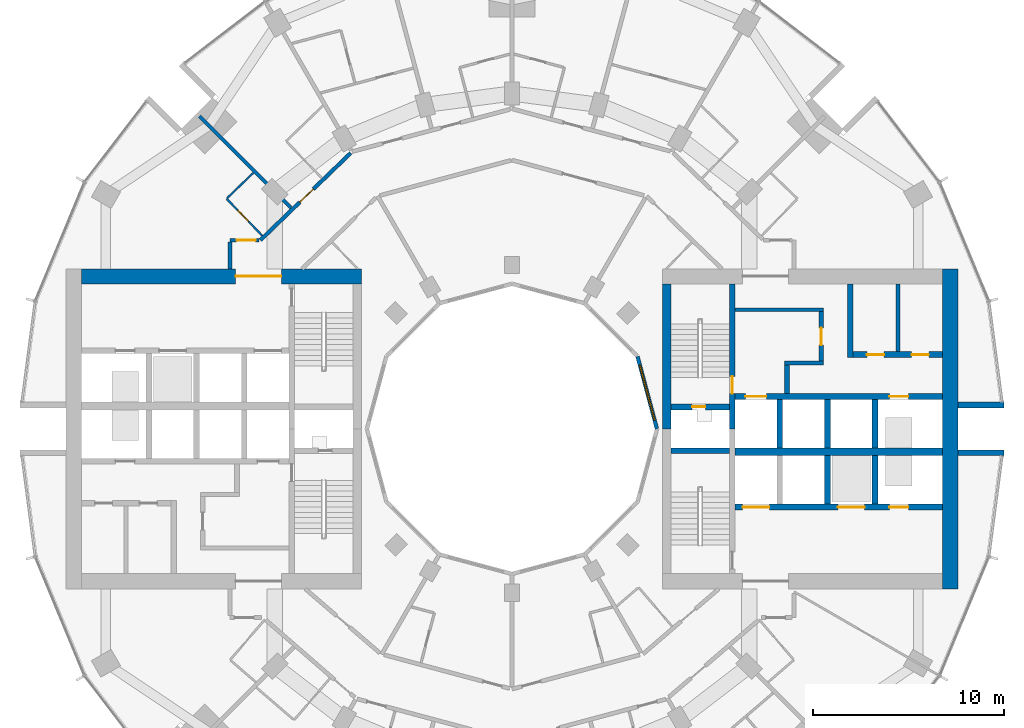
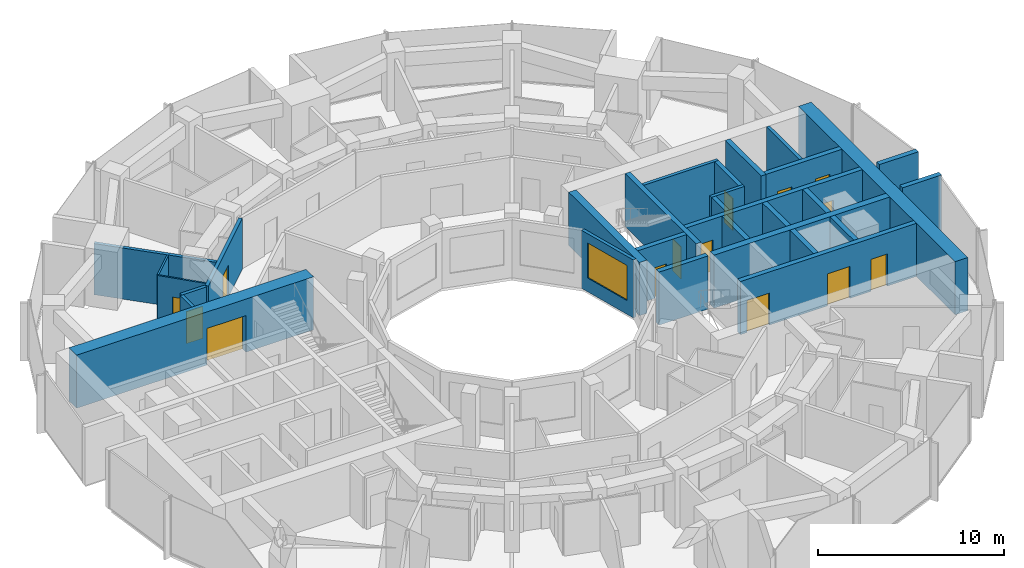
# One storey, part 11 of 15: 30 walls, 14 doors, 1 window, 15 openings.
"""IFC4 building model written with IfcOpenShell, lengths in metres."""

from ifc_helpers import new_model, si_unit, direction, frame, frame_2d, origin, place, context, subcontext, project, spatial, rectangle, extrude, material, layer, layer_set, type_object, element, fill, save


model = new_model("IFC4")

# Units and contexts
model_context = context("Model", 3, precision=1e-05, world=origin(), true_north=direction((0.0, 1.0)))
body_context = subcontext(model_context, "Body", "Model", "MODEL_VIEW")
ifc_project = project(units=[si_unit("LENGTHUNIT", "METRE"), si_unit("AREAUNIT", "SQUARE_METRE"), si_unit("VOLUMEUNIT", "CUBIC_METRE"), si_unit("PLANEANGLEUNIT", "RADIAN"), si_unit("MASSUNIT", "GRAM", prefix="KILO")], contexts=[model_context])

# Site, building, storey
site_placement = place(None, origin())
site = spatial("IfcSite", under=ifc_project, at=site_placement, CompositionType="ELEMENT")
building_placement = place(site_placement, origin())
building = spatial("IfcBuilding", under=site, at=building_placement, Name="Torre Brocal", CompositionType="ELEMENT")
storey_placement = place(building_placement, frame((0.0, 0.0, 44.0)))
storey = spatial("IfcBuildingStorey", under=building, at=storey_placement, Name="L09", CompositionType="ELEMENT", Elevation=44.0)

# Walls
ifc_material_1 = material(Name="Masonry block", Category="masonry")
ifc_layer_1 = layer(ifc_material_1, 0.199951171875)
ifc_layer_set_1 = layer_set([ifc_layer_1], Name="Masonry block")
wall_type_1 = type_object("IfcWallType", Name="CORE PARTITION 200", PredefinedType="PARTITIONING", material=ifc_layer_set_1)
wall_1_placement = place(storey_placement, frame((100.25, 79.050048828125, 0.0), z_axis=(0.0, 0.0, 1.0), x_axis=(0.0, 1.0, 0.0)))
element("IfcWall", 1, at=wall_1_placement, inside=storey, type_object=wall_type_1, Name="Wall CP200", PredefinedType="PARTITIONING", context=body_context, shape_type="SweptSolid", body=[
    extrude(rectangle(XDim=3.550048828125, YDim=0.199951171875, at=frame_2d((1.77490234375, 0.0))), origin(), (0.0, 0.0, 1.0), 3.47998046875),
])
ifc_material_2 = material(Name="Concrete C80", Category="concrete")
ifc_layer_2 = layer(ifc_material_2, 0.199951171875)
ifc_layer_set_2 = layer_set([ifc_layer_2], Name="Concrete C80")
wall_type_2 = type_object("IfcWallType", Name="CORE WALL 200 C80", PredefinedType="SHEAR", material=ifc_layer_set_2)
wall_2_placement = place(storey_placement, frame((91.699951171875, 81.25, 0.0), z_axis=(0.0, 0.0, 1.0), x_axis=(1.0, 0.0, 0.0)))
element("IfcWall", 2, at=wall_2_placement, inside=storey, type_object=wall_type_2, Name="Wall CW200-80", PredefinedType="SHEAR", context=body_context, shape_type="SweptSolid", body=[
    extrude(rectangle(XDim=4.650146484375, YDim=0.199951171875, at=frame_2d((2.3251953125, 0.0))), origin(), (0.0, 0.0, 1.0), 3.47998046875),
])
wall_3_placement = place(storey_placement, frame((94.300048828125, 78.449951171875, 0.0), z_axis=(0.0, 0.0, 1.0), x_axis=(1.0, 0.0, 0.0)))
element("IfcWall", 3, at=wall_3_placement, inside=storey, type_object=wall_type_2, Name="Wall CW200-80", PredefinedType="SHEAR", context=body_context, shape_type="SweptSolid", body=[
    extrude(rectangle(XDim=2.050048828125, YDim=0.199951171875, at=frame_2d((1.02490234375, 0.0))), origin(), (0.0, 0.0, 1.0), 3.47998046875),
])

# Wall, opening, door
ifc_material_3 = material(Name="Concrete C80", Category="concrete")
ifc_layer_3 = layer(ifc_material_3, 0.25)
ifc_layer_set_3 = layer_set([ifc_layer_3], Name="Concrete C80")
wall_type_3 = type_object("IfcWallType", Name="CORE WALL 250 C80", PredefinedType="SHEAR", material=ifc_layer_set_3)
wall_4_placement = place(storey_placement, frame((96.22509765625, 78.550048828125, 0.0), z_axis=(0.0, 0.0, 1.0), x_axis=(0.0, 1.0, 0.0)))
wall_4 = element("IfcWall", 4, at=wall_4_placement, inside=storey, type_object=wall_type_3, Name="Wall CW250-80", PredefinedType="SHEAR", context=body_context, shape_type="SweptSolid", body=[
    extrude(rectangle(XDim=2.599853515625, YDim=0.25, at=frame_2d((1.2998046875, 0.0))), origin(), (0.0, 0.0, 1.0), 3.47998046875),
])
opening_1_placement = place(wall_4_placement, frame((0.85009765625, 0.0, 0.0)))
opening_1 = element("IfcOpeningElement", 5, at=opening_1_placement, cuts=wall_4, Name="Opening E-D15", PredefinedType="OPENING", context=body_context, shape_type="SweptSolid", body=[
    extrude(rectangle(XDim=0.89990234375, YDim=2.10009765625, at=frame_2d((0.449951171875, 1.050048828125))), frame((0.0, 0.135009765625, 0.0), z_axis=(0.0, -1.0, 0.0), x_axis=(1.0, 0.0, 0.0)), (0.0, 0.0, 1.0), 0.27001953125),
])
ifc_material_4 = material(Name="Steel A653", Category="steel")
door_type_1 = type_object("IfcDoorType", Name="LOBBY DOOR FD120 900X2100", OperationType="SINGLE_SWING_RIGHT", PredefinedType="DOOR", material=ifc_material_4)
door_1_placement = place(opening_1_placement, origin())
door_1 = element("IfcDoor", 6, at=door_1_placement, inside=storey, type_object=door_type_1, Name="Door E-D15", OperationType="SINGLE_SWING_LEFT", OverallHeight=2.10009765625, OverallWidth=0.89990234375, PredefinedType="DOOR", context=body_context, shape_type="SweptSolid", body=[
    extrude(rectangle(XDim=0.89990234375, YDim=2.10009765625, at=frame_2d((0.449951171875, 1.050048828125))), frame((0.0, 0.02490234375, 0.0), z_axis=(0.0, -1.0, 0.0), x_axis=(1.0, 0.0, 0.0)), (0.0, 0.0, 1.0), 0.050048828125),
])
fill(opening_1, door_1)

# Wall
wall_5_placement = place(storey_placement, frame((94.425048828125, 76.85009765625, 0.0), z_axis=(0.0, 0.0, 1.0), x_axis=(0.0, 1.0, 0.0)))
element("IfcWall", 7, at=wall_5_placement, inside=storey, type_object=wall_type_3, Name="Wall CW250-80", PredefinedType="SHEAR", context=body_context, shape_type="SweptSolid", body=[
    extrude(rectangle(XDim=1.5, YDim=0.25, at=frame_2d((0.75, 0.0))), origin(), (0.0, 0.0, 1.0), 3.47998046875),
])

# Wall, opening, door
ifc_material_5 = material(Name="Concrete C80", Category="concrete")
ifc_layer_4 = layer(ifc_material_5, 0.300048828125)
ifc_layer_set_4 = layer_set([ifc_layer_4], Name="Concrete C80")
wall_type_4 = type_object("IfcWallType", Name="CORE WALL 300 C80", PredefinedType="SHEAR", material=ifc_layer_set_4)
wall_6_placement = place(storey_placement, frame((91.550048828125, 75.0, 0.0), z_axis=(0.0, 0.0, 1.0), x_axis=(0.0, 1.0, 0.0)))
wall_6 = element("IfcWall", 8, at=wall_6_placement, inside=storey, type_object=wall_type_4, Name="Wall CW300-80", PredefinedType="SHEAR", context=body_context, shape_type="SweptSolid", body=[
    extrude(rectangle(XDim=7.60009765625, YDim=0.300048828125, at=frame_2d((3.800048828125, 0.0))), origin(), (0.0, 0.0, 1.0), 3.47998046875),
])
opening_2_placement = place(wall_6_placement, frame((1.85009765625, 0.0, 0.0)))
opening_2 = element("IfcOpeningElement", 9, at=opening_2_placement, cuts=wall_6, Name="Opening E-D02", PredefinedType="OPENING", context=body_context, shape_type="SweptSolid", body=[
    extrude(rectangle(XDim=0.89990234375, YDim=2.10009765625, at=frame_2d((0.449951171875, 1.050048828125))), frame((0.0, 0.159912109375, 0.0), z_axis=(0.0, -1.0, 0.0), x_axis=(1.0, 0.0, 0.0)), (0.0, 0.0, 1.0), 0.320068359375),
])
ifc_material_6 = material(Name="Steel A653", Category="steel")
door_type_2 = type_object("IfcDoorType", Name="STAIR DOOR FD120 900X2100", OperationType="SINGLE_SWING_RIGHT", PredefinedType="DOOR", material=ifc_material_6)
door_2_placement = place(opening_2_placement, origin())
door_2 = element("IfcDoor", 10, at=door_2_placement, inside=storey, type_object=door_type_2, Name="Door E-D02", OperationType="SINGLE_SWING_LEFT", OverallHeight=2.10009765625, OverallWidth=0.89990234375, PredefinedType="DOOR", context=body_context, shape_type="SweptSolid", body=[
    extrude(rectangle(XDim=0.89990234375, YDim=2.10009765625, at=frame_2d((0.449951171875, 1.050048828125))), frame((0.0, 0.02490234375, 0.0), z_axis=(0.0, -1.0, 0.0), x_axis=(1.0, 0.0, 0.0)), (0.0, 0.0, 1.0), 0.050048828125),
])
fill(opening_2, door_2)

wall_7_placement = place(storey_placement, frame((88.35009765625, 76.14990234375, 0.0), z_axis=(0.0, 0.0, 1.0), x_axis=(1.0, 0.0, 0.0)))
wall_7 = element("IfcWall", 11, at=wall_7_placement, inside=storey, type_object=wall_type_4, Name="Wall CW300-80", PredefinedType="SHEAR", context=body_context, shape_type="SweptSolid", body=[
    extrude(rectangle(XDim=3.0498046875, YDim=0.300048828125, at=frame_2d((1.52490234375, 0.0))), origin(), (0.0, 0.0, 1.0), 3.47998046875),
])
opening_3_placement = place(wall_7_placement, frame((1.10009765625, 0.0, 0.0)))
opening_3 = element("IfcOpeningElement", 12, at=opening_3_placement, cuts=wall_7, Name="Opening E-D01", PredefinedType="OPENING", context=body_context, shape_type="SweptSolid", body=[
    extrude(rectangle(XDim=0.699951171875, YDim=2.0, at=frame_2d((0.35009765625, 1.0))), frame((0.0, 0.159912109375, 0.0), z_axis=(0.0, -1.0, 0.0), x_axis=(1.0, 0.0, 0.0)), (0.0, 0.0, 1.0), 0.320068359375),
])
ifc_material_7 = material(Name="Steel A653", Category="steel")
door_type_3 = type_object("IfcDoorType", Name="RISER DOOR FD120 700X2000", OperationType="SINGLE_SWING_LEFT", PredefinedType="DOOR", material=ifc_material_7)
door_3_placement = place(opening_3_placement, frame((0.699951171875, 0.0, 0.0), z_axis=(0.0, 0.0, 1.0), x_axis=(-1.0, 0.0, 0.0)))
door_3 = element("IfcDoor", 13, at=door_3_placement, inside=storey, type_object=door_type_3, Name="Door E-D01", OperationType="SINGLE_SWING_RIGHT", OverallHeight=2.0, OverallWidth=0.699951171875, PredefinedType="DOOR", context=body_context, shape_type="SweptSolid", body=[
    extrude(rectangle(XDim=0.699951171875, YDim=2.0, at=frame_2d((0.35009765625, 1.0))), frame((0.0, 0.02490234375, 0.0), z_axis=(0.0, -1.0, 0.0), x_axis=(1.0, 0.0, 0.0)), (0.0, 0.0, 1.0), 0.050048828125),
])
fill(opening_3, door_3)

# Wall
wall_8_placement = place(storey_placement, frame((88.35009765625, 73.85009765625, 0.0), z_axis=(0.0, 0.0, 1.0), x_axis=(1.0, 0.0, 0.0)))
element("IfcWall", 14, at=wall_8_placement, inside=storey, type_object=wall_type_4, Name="Wall CW300-80", PredefinedType="SHEAR", context=body_context, shape_type="SweptSolid", body=[
    extrude(rectangle(XDim=3.0498046875, YDim=0.300048828125, at=frame_2d((1.52490234375, 0.0))), origin(), (0.0, 0.0, 1.0), 3.47998046875),
])

# Wall, openings, doors
wall_9_placement = place(storey_placement, frame((91.699951171875, 76.699951171875, 0.0), z_axis=(0.0, 0.0, 1.0), x_axis=(1.0, 0.0, 0.0)))
wall_9 = element("IfcWall", 15, at=wall_9_placement, inside=storey, type_object=wall_type_4, Name="Wall CW300-80", PredefinedType="SHEAR", context=body_context, shape_type="SweptSolid", body=[
    extrude(rectangle(XDim=10.900146484375, YDim=0.300048828125, at=frame_2d((5.4501953125, 0.0))), origin(), (0.0, 0.0, 1.0), 3.47998046875),
])
opening_4_placement = place(wall_9_placement, frame((0.550048828125, 0.0, 0.0)))
opening_4 = element("IfcOpeningElement", 16, at=opening_4_placement, cuts=wall_9, Name="Opening LD", PredefinedType="OPENING", context=body_context, shape_type="SweptSolid", body=[
    extrude(rectangle(XDim=1.10009765625, YDim=2.10009765625, at=frame_2d((0.550048828125, 1.050048828125))), frame((0.0, 0.159912109375, 0.0), z_axis=(0.0, -1.0, 0.0), x_axis=(1.0, 0.0, 0.0)), (0.0, 0.0, 1.0), 0.320068359375),
])
opening_5_placement = place(wall_9_placement, frame((8.10009765625, 0.0, 0.0)))
opening_5 = element("IfcOpeningElement", 17, at=opening_5_placement, cuts=wall_9, Name="Opening LD10", PredefinedType="OPENING", context=body_context, shape_type="SweptSolid", body=[
    extrude(rectangle(XDim=1.0, YDim=2.10009765625, at=frame_2d((0.5, 1.050048828125))), frame((0.0, 0.159912109375, 0.0), z_axis=(0.0, -1.0, 0.0), x_axis=(1.0, 0.0, 0.0)), (0.0, 0.0, 1.0), 0.320068359375),
])
ifc_material_8 = material(Name="Stainless steel AISI 316", Category="steel")
door_type_4 = type_object("IfcDoorType", Name="LIFT LANDING DOOR 1000X2100", OperationType="DOUBLE_DOOR_SLIDING", PredefinedType="DOOR", material=ifc_material_8)
door_4_placement = place(opening_5_placement, origin())
door_4 = element("IfcDoor", 18, at=door_4_placement, inside=storey, type_object=door_type_4, Name="Door LD10", OperationType="DOUBLE_DOOR_SLIDING", OverallHeight=2.10009765625, OverallWidth=1.0, PredefinedType="DOOR", context=body_context, shape_type="SweptSolid", body=[
    extrude(rectangle(XDim=1.0, YDim=2.10009765625, at=frame_2d((0.5, 1.050048828125))), frame((0.0, 0.02490234375, 0.0), z_axis=(0.0, -1.0, 0.0), x_axis=(1.0, 0.0, 0.0)), (0.0, 0.0, 1.0), 0.050048828125),
])
fill(opening_5, door_4)
ifc_material_9 = material(Name="Stainless steel AISI 316", Category="steel")
door_type_5 = type_object("IfcDoorType", Name="LIFT LANDING DOOR 1100X2100", OperationType="DOUBLE_DOOR_SLIDING", PredefinedType="DOOR", material=ifc_material_9)
door_5_placement = place(opening_4_placement, origin())
door_5 = element("IfcDoor", 19, at=door_5_placement, inside=storey, type_object=door_type_5, Name="Door LD", OperationType="DOUBLE_DOOR_SLIDING", OverallHeight=2.10009765625, OverallWidth=1.10009765625, PredefinedType="DOOR", context=body_context, shape_type="SweptSolid", body=[
    extrude(rectangle(XDim=1.10009765625, YDim=2.10009765625, at=frame_2d((0.550048828125, 1.050048828125))), frame((0.0, 0.02490234375, 0.0), z_axis=(0.0, -1.0, 0.0), x_axis=(1.0, 0.0, 0.0)), (0.0, 0.0, 1.0), 0.050048828125),
])
fill(opening_4, door_5)

wall_10_placement = place(storey_placement, frame((91.699951171875, 70.89990234375, 0.0), z_axis=(0.0, 0.0, 1.0), x_axis=(1.0, 0.0, 0.0)))
wall_10 = element("IfcWall", 20, at=wall_10_placement, inside=storey, type_object=wall_type_4, Name="Wall CW300-80", PredefinedType="SHEAR", context=body_context, shape_type="SweptSolid", body=[
    extrude(rectangle(XDim=10.900146484375, YDim=0.300048828125, at=frame_2d((5.4501953125, 0.0))), origin(), (0.0, 0.0, 1.0), 3.47998046875),
])
opening_6_placement = place(wall_10_placement, frame((0.39990234375, 0.0, 0.0)))
opening_6 = element("IfcOpeningElement", 21, at=opening_6_placement, cuts=wall_10, Name="Opening LD14", PredefinedType="OPENING", context=body_context, shape_type="SweptSolid", body=[
    extrude(rectangle(XDim=1.39990234375, YDim=2.10009765625, at=frame_2d((0.699951171875, 1.050048828125))), frame((0.0, 0.159912109375, 0.0), z_axis=(0.0, -1.0, 0.0), x_axis=(1.0, 0.0, 0.0)), (0.0, 0.0, 1.0), 0.320068359375),
])
opening_7_placement = place(wall_10_placement, frame((5.39990234375, 0.0, 0.0)))
opening_7 = element("IfcOpeningElement", 22, at=opening_7_placement, cuts=wall_10, Name="Opening LD14", PredefinedType="OPENING", context=body_context, shape_type="SweptSolid", body=[
    extrude(rectangle(XDim=1.39990234375, YDim=2.10009765625, at=frame_2d((0.699951171875, 1.050048828125))), frame((0.0, 0.159912109375, 0.0), z_axis=(0.0, -1.0, 0.0), x_axis=(1.0, 0.0, 0.0)), (0.0, 0.0, 1.0), 0.320068359375),
])
opening_8_placement = place(wall_10_placement, frame((8.10009765625, 0.0, 0.0)))
opening_8 = element("IfcOpeningElement", 23, at=opening_8_placement, cuts=wall_10, Name="Opening LD10", PredefinedType="OPENING", context=body_context, shape_type="SweptSolid", body=[
    extrude(rectangle(XDim=1.0, YDim=2.10009765625, at=frame_2d((0.5, 1.050048828125))), frame((0.0, 0.159912109375, 0.0), z_axis=(0.0, -1.0, 0.0), x_axis=(1.0, 0.0, 0.0)), (0.0, 0.0, 1.0), 0.320068359375),
])
door_6_placement = place(opening_8_placement, origin())
door_6 = element("IfcDoor", 24, at=door_6_placement, inside=storey, type_object=door_type_4, Name="Door LD10", OperationType="DOUBLE_DOOR_SLIDING", OverallHeight=2.10009765625, OverallWidth=1.0, PredefinedType="DOOR", context=body_context, shape_type="SweptSolid", body=[
    extrude(rectangle(XDim=1.0, YDim=2.10009765625, at=frame_2d((0.5, 1.050048828125))), frame((0.0, 0.02490234375, 0.0), z_axis=(0.0, -1.0, 0.0), x_axis=(1.0, 0.0, 0.0)), (0.0, 0.0, 1.0), 0.050048828125),
])
fill(opening_8, door_6)
ifc_material_10 = material(Name="Stainless steel AISI 316", Category="steel")
door_type_6 = type_object("IfcDoorType", Name="LIFT LANDING DOOR 1400X2100", OperationType="DOUBLE_DOOR_SLIDING", PredefinedType="DOOR", material=ifc_material_10)
door_7_placement = place(opening_6_placement, origin())
door_7 = element("IfcDoor", 25, at=door_7_placement, inside=storey, type_object=door_type_6, Name="Door LD14", OperationType="DOUBLE_DOOR_SLIDING", OverallHeight=2.10009765625, OverallWidth=1.39990234375, PredefinedType="DOOR", context=body_context, shape_type="SweptSolid", body=[
    extrude(rectangle(XDim=1.39990234375, YDim=2.10009765625, at=frame_2d((0.699951171875, 1.050048828125))), frame((0.0, 0.02490234375, 0.0), z_axis=(0.0, -1.0, 0.0), x_axis=(1.0, 0.0, 0.0)), (0.0, 0.0, 1.0), 0.050048828125),
])
fill(opening_6, door_7)
door_8_placement = place(opening_7_placement, origin())
door_8 = element("IfcDoor", 26, at=door_8_placement, inside=storey, type_object=door_type_6, Name="Door LD14", OperationType="DOUBLE_DOOR_SLIDING", OverallHeight=2.10009765625, OverallWidth=1.39990234375, PredefinedType="DOOR", context=body_context, shape_type="SweptSolid", body=[
    extrude(rectangle(XDim=1.39990234375, YDim=2.10009765625, at=frame_2d((0.699951171875, 1.050048828125))), frame((0.0, 0.02490234375, 0.0), z_axis=(0.0, -1.0, 0.0), x_axis=(1.0, 0.0, 0.0)), (0.0, 0.0, 1.0), 0.050048828125),
])
fill(opening_7, door_8)

# Walls
for number, where, z_axis, x_axis, name in (
    (27, (94.050048828125, 74.0, 0.0), (0.0, 0.0, 1.0), (0.0, 1.0, 0.0), "Wall CW300-80"),
    (28, (96.550048828125, 74.0, 0.0), (0.0, 0.0, 1.0), (0.0, 1.0, 0.0), "Wall CW300-80"),
    (29, (99.050048828125, 74.0, 0.0), (0.0, 0.0, 1.0), (0.0, 1.0, 0.0), "Wall CW300-80"),
    (30, (96.550048828125, 71.050048828125, 0.0), (0.0, 0.0, 1.0), (0.0, 1.0, 0.0), "Wall CW300-80"),
    (31, (99.050048828125, 71.050048828125, 0.0), (0.0, 0.0, 1.0), (0.0, 1.0, 0.0), "Wall CW300-80"),
):
    element("IfcWall", number, at=place(storey_placement, frame(where, z_axis=z_axis, x_axis=x_axis)), inside=storey, type_object=wall_type_4, Name=name, PredefinedType="SHEAR", context=body_context, shape_type="SweptSolid", body=[
        extrude(rectangle(XDim=2.550048828125, YDim=0.300048828125, at=frame_2d((1.27490234375, 0.0))), origin(), (0.0, 0.0, 1.0), 3.47998046875),
    ])
wall_11_placement = place(storey_placement, frame((97.75, 78.75, 0.0), z_axis=(0.0, 0.0, 1.0), x_axis=(0.0, 1.0, 0.0)))
element("IfcWall", 32, at=wall_11_placement, inside=storey, type_object=wall_type_4, Name="Wall CW300-80", PredefinedType="SHEAR", context=body_context, shape_type="SweptSolid", body=[
    extrude(rectangle(XDim=3.85009765625, YDim=0.300048828125, at=frame_2d((1.925048828125, 0.0))), origin(), (0.0, 0.0, 1.0), 3.47998046875),
])

# Wall, openings, doors
wall_12_placement = place(storey_placement, frame((97.89990234375, 78.89990234375, 0.0), z_axis=(0.0, 0.0, 1.0), x_axis=(1.0, 0.0, 0.0)))
wall_12 = element("IfcWall", 33, at=wall_12_placement, inside=storey, type_object=wall_type_4, Name="Wall CW300-80", PredefinedType="SHEAR", context=body_context, shape_type="SweptSolid", body=[
    extrude(rectangle(XDim=4.7001953125, YDim=0.300048828125, at=frame_2d((2.35009765625, 0.0))), origin(), (0.0, 0.0, 1.0), 3.47998046875),
])
opening_9_placement = place(wall_12_placement, frame((0.72509765625, 0.0, 0.0)))
opening_9 = element("IfcOpeningElement", 34, at=opening_9_placement, cuts=wall_12, Name="Opening E-D05", PredefinedType="OPENING", context=body_context, shape_type="SweptSolid", body=[
    extrude(rectangle(XDim=0.89990234375, YDim=2.10009765625, at=frame_2d((0.449951171875, 1.050048828125))), frame((0.0, 0.159912109375, 0.0), z_axis=(0.0, -1.0, 0.0), x_axis=(1.0, 0.0, 0.0)), (0.0, 0.0, 1.0), 0.320068359375),
])
opening_10_placement = place(wall_12_placement, frame((3.074951171875, 0.0, 0.0)))
opening_10 = element("IfcOpeningElement", 35, at=opening_10_placement, cuts=wall_12, Name="Opening E-D06", PredefinedType="OPENING", context=body_context, shape_type="SweptSolid", body=[
    extrude(rectangle(XDim=0.89990234375, YDim=2.10009765625, at=frame_2d((0.449951171875, 1.050048828125))), frame((0.0, 0.159912109375, 0.0), z_axis=(0.0, -1.0, 0.0), x_axis=(1.0, 0.0, 0.0)), (0.0, 0.0, 1.0), 0.320068359375),
])
ifc_material_11 = material(Name="Steel A653", Category="steel")
door_type_7 = type_object("IfcDoorType", Name="ROOM DOOR FD30S 900X2100", OperationType="SINGLE_SWING_LEFT", PredefinedType="DOOR", material=ifc_material_11)
door_9_placement = place(opening_9_placement, origin())
door_9 = element("IfcDoor", 36, at=door_9_placement, inside=storey, type_object=door_type_7, Name="Door E-D05", OperationType="SINGLE_SWING_RIGHT", OverallHeight=2.10009765625, OverallWidth=0.89990234375, PredefinedType="DOOR", context=body_context, shape_type="SweptSolid", body=[
    extrude(rectangle(XDim=0.89990234375, YDim=2.10009765625, at=frame_2d((0.449951171875, 1.050048828125))), frame((0.0, 0.02490234375, 0.0), z_axis=(0.0, -1.0, 0.0), x_axis=(1.0, 0.0, 0.0)), (0.0, 0.0, 1.0), 0.050048828125),
])
fill(opening_9, door_9)
door_10_placement = place(opening_10_placement, origin())
door_10 = element("IfcDoor", 37, at=door_10_placement, inside=storey, type_object=door_type_7, Name="Door E-D06", OperationType="SINGLE_SWING_LEFT", OverallHeight=2.10009765625, OverallWidth=0.89990234375, PredefinedType="DOOR", context=body_context, shape_type="SweptSolid", body=[
    extrude(rectangle(XDim=0.89990234375, YDim=2.10009765625, at=frame_2d((0.449951171875, 1.050048828125))), frame((0.0, 0.02490234375, 0.0), z_axis=(0.0, -1.0, 0.0), x_axis=(1.0, 0.0, 0.0)), (0.0, 0.0, 1.0), 0.050048828125),
])
fill(opening_10, door_10)

# Walls
ifc_material_12 = material(Name="Concrete C80", Category="concrete")
ifc_layer_5 = layer(ifc_material_12, 0.39990234375)
ifc_layer_set_5 = layer_set([ifc_layer_5], Name="Concrete C80")
wall_type_5 = type_object("IfcWallType", Name="CORE WALL 400 C80", PredefinedType="SHEAR", material=ifc_layer_set_5)
wall_13_placement = place(storey_placement, frame((91.699951171875, 73.800048828125, 0.0), z_axis=(0.0, 0.0, 1.0), x_axis=(1.0, 0.0, 0.0)))
element("IfcWall", 38, at=wall_13_placement, inside=storey, type_object=wall_type_5, Name="Wall CW400-80", PredefinedType="SHEAR", context=body_context, shape_type="SweptSolid", body=[
    extrude(rectangle(XDim=10.900146484375, YDim=0.39990234375, at=frame_2d((5.4501953125, 0.0))), origin(), (0.0, 0.0, 1.0), 3.47998046875),
])
ifc_material_13 = material(Name="Concrete C80", Category="concrete")
ifc_layer_6 = layer(ifc_material_13, 0.449951171875)
ifc_layer_set_6 = layer_set([ifc_layer_6], Name="Concrete C80")
wall_type_6 = type_object("IfcWallType", Name="CORE WALL 450 C80", PredefinedType="SHEAR", material=ifc_layer_set_6)
wall_14_placement = place(storey_placement, frame((88.125, 75.0, 0.0), z_axis=(0.0, 0.0, 1.0), x_axis=(0.0, 1.0, 0.0)))
element("IfcWall", 39, at=wall_14_placement, inside=storey, type_object=wall_type_6, Name="Wall CW450-80", PredefinedType="SHEAR", context=body_context, shape_type="SweptSolid", body=[
    extrude(rectangle(XDim=7.60009765625, YDim=0.449951171875, at=frame_2d((3.800048828125, 0.0))), origin(), (0.0, 0.0, 1.0), 3.47998046875),
])
ifc_material_14 = material(Name="Concrete C80", Category="concrete")
ifc_layer_7 = layer(ifc_material_14, 0.800048828125)
ifc_layer_set_7 = layer_set([ifc_layer_7], Name="Concrete C80")
wall_type_7 = type_object("IfcWallType", Name="CORE WALL 800 C80", PredefinedType="SHEAR", material=ifc_layer_set_7)
wall_15_placement = place(storey_placement, frame((103.0, 66.60009765625, 0.0), z_axis=(0.0, 0.0, 1.0), x_axis=(0.0, 1.0, 0.0)))
element("IfcWall", 40, at=wall_15_placement, inside=storey, type_object=wall_type_7, Name="Wall CW800-80", PredefinedType="SHEAR", context=body_context, shape_type="SweptSolid", body=[
    extrude(rectangle(XDim=16.7998046875, YDim=0.800048828125, at=frame_2d((8.39990234375, 0.0))), origin(), (0.0, 0.0, 1.0), 3.47998046875),
])

# Wall, opening, door
wall_16_placement = place(storey_placement, frame((72.10009765625, 83.0, 0.0), z_axis=(0.0, 0.0, 1.0), x_axis=(-1.0, 0.0, 0.0)))
wall_16 = element("IfcWall", 41, at=wall_16_placement, inside=storey, type_object=wall_type_7, Name="Wall CW800-80", PredefinedType="SHEAR", context=body_context, shape_type="SweptSolid", body=[
    extrude(rectangle(XDim=14.7001953125, YDim=0.800048828125, at=frame_2d((7.35009765625, 0.0))), origin(), (0.0, 0.0, 1.0), 3.47998046875),
])
opening_11_placement = place(wall_16_placement, frame((4.199951171875, 0.0, 0.0)))
opening_11 = element("IfcOpeningElement", 42, at=opening_11_placement, cuts=wall_16, Name="Opening W-D27", PredefinedType="OPENING", context=body_context, shape_type="SweptSolid", body=[
    extrude(rectangle(XDim=2.39990234375, YDim=2.39990234375, at=frame_2d((1.199951171875, 1.199951171875))), frame((0.0, 0.409912109375, 0.0), z_axis=(0.0, -1.0, 0.0), x_axis=(1.0, 0.0, 0.0)), (0.0, 0.0, 1.0), 0.820068359375),
])
ifc_material_15 = material(Name="Steel A653", Category="steel")
door_type_8 = type_object("IfcDoorType", Name="DOUBLE FIRE DOOR FD90 2400X2400", OperationType="DOUBLE_DOOR_SINGLE_SWING", PredefinedType="DOOR", material=ifc_material_15)
door_11_placement = place(opening_11_placement, origin())
door_11 = element("IfcDoor", 43, at=door_11_placement, inside=storey, type_object=door_type_8, Name="Door W-D27", OperationType="DOUBLE_DOOR_SINGLE_SWING", OverallHeight=2.39990234375, OverallWidth=2.39990234375, PredefinedType="DOOR", context=body_context, shape_type="SweptSolid", body=[
    extrude(rectangle(XDim=2.39990234375, YDim=2.39990234375, at=frame_2d((1.199951171875, 1.199951171875))), frame((0.0, 0.02490234375, 0.0), z_axis=(0.0, -1.0, 0.0), x_axis=(1.0, 0.0, 0.0)), (0.0, 0.0, 1.0), 0.050048828125),
])
fill(opening_11, door_11)

# Walls
ifc_material_16 = material(Name="Concrete C80", Category="concrete")
ifc_layer_8 = layer(ifc_material_16, 0.300048828125)
ifc_layer_set_8 = layer_set([ifc_layer_8], Name="Concrete C80")
wall_type_8 = type_object("IfcWallType", Name="NOTCH RETURN WALL 300 C80", PredefinedType="NOTDEFINED", material=ifc_layer_set_8)
for number, where, z_axis, x_axis, name in (
    (44, (103.39990234375, 73.75, 0.0), (0.0, 0.0, 1.0), (1.0, 0.0, 0.0), "NOTCH RETURN WALL"),
    (45, (103.39990234375, 76.25, 0.0), (0.0, 0.0, 1.0), (1.0, 0.0, 0.0), "NOTCH RETURN WALL"),
):
    element("IfcWall", number, at=place(storey_placement, frame(where, z_axis=z_axis, x_axis=x_axis)), inside=storey, type_object=wall_type_8, Name=name, PredefinedType="NOTDEFINED", context=body_context, shape_type="SweptSolid", body=[
        extrude(rectangle(XDim=2.415771484375, YDim=0.300048828125, at=frame_2d((1.2080078125, 0.0))), origin(), (0.0, 0.0, 1.0), 3.800048828125),
    ])
ifc_material_17 = material(Name="Gypsum board", Category="Gypsum")
ifc_layer_9 = layer(ifc_material_17, 0.10009765625)
ifc_layer_set_9 = layer_set([ifc_layer_9], Name="Gypsum board")
wall_type_9 = type_object("IfcWallType", Name="PARTITION 100", PredefinedType="PARTITIONING", material=ifc_layer_set_9)
wall_17_placement = place(storey_placement, frame((65.05810546875, 87.113525390625, 0.0), z_axis=(0.0, 0.0, 1.0), x_axis=(0.719715847356, 0.694268751324, 0.0)))
element("IfcWall", 46, at=wall_17_placement, inside=storey, type_object=wall_type_9, Name="BATHROOM WALL", PredefinedType="PARTITIONING", context=body_context, shape_type="SweptSolid", body=[
    extrude(rectangle(XDim=1.899658203125, YDim=0.10009765625, at=frame_2d((0.94970703125, 0.0))), origin(), (0.0, 0.0, 1.0), 3.35009765625),
])

# Wall, opening, door
wall_18_placement = place(storey_placement, frame((65.02197265625, 87.0791015625, 0.0), z_axis=(0.0, 0.0, 1.0), x_axis=(0.694287838235, -0.719697434815, 0.0)))
wall_18 = element("IfcWall", 47, at=wall_18_placement, inside=storey, type_object=wall_type_9, Name="BATHROOM WALL", PredefinedType="PARTITIONING", context=body_context, shape_type="SweptSolid", body=[
    extrude(rectangle(XDim=2.699951171875, YDim=0.10009765625, at=frame_2d((1.35009765625, 0.0))), origin(), (0.0, 0.0, 1.0), 3.35009765625),
])
opening_12_placement = place(wall_18_placement, frame((0.849853515625, 0.0, 0.0)))
opening_12 = element("IfcOpeningElement", 48, at=opening_12_placement, cuts=wall_18, Name="Opening H02-D17", PredefinedType="OPENING", context=body_context, shape_type="SweptSolid", body=[
    extrude(rectangle(XDim=0.800048828125, YDim=2.10009765625, at=frame_2d((0.39990234375, 1.050048828125))), frame((0.0, 0.06005859375, 0.0), z_axis=(0.0, -1.0, 0.0), x_axis=(1.0, 0.0, 0.0)), (0.0, 0.0, 1.0), 0.1201171875),
])
ifc_material_18 = material(Name="Timber", Category="wood")
door_type_9 = type_object("IfcDoorType", Name="BATHROOM DOOR 800X2100", OperationType="SINGLE_SWING_LEFT", PredefinedType="DOOR", material=ifc_material_18)
door_12_placement = place(opening_12_placement, origin())
door_12 = element("IfcDoor", 49, at=door_12_placement, inside=storey, type_object=door_type_9, Name="H02-D17", OperationType="SINGLE_SWING_LEFT", OverallHeight=2.10009765625, OverallWidth=0.800048828125, PredefinedType="DOOR", context=body_context, shape_type="SweptSolid", body=[
    extrude(rectangle(XDim=0.800048828125, YDim=2.10009765625, at=frame_2d((0.39990234375, 1.050048828125))), frame((0.0, 0.02490234375, 0.0), z_axis=(0.0, -1.0, 0.0), x_axis=(1.0, 0.0, 0.0)), (0.0, 0.0, 1.0), 0.050048828125),
])
fill(opening_12, door_12)

# Walls
ifc_material_19 = material(Name="Gypsum board", Category="Gypsum")
ifc_layer_10 = layer(ifc_material_19, 0.199951171875)
ifc_layer_set_10 = layer_set([ifc_layer_10], Name="Gypsum board")
wall_type_10 = type_object("IfcWallType", Name="PARTITION 200 EI60", PredefinedType="PARTITIONING", material=ifc_layer_set_10)
wall_19_placement = place(storey_placement, frame((63.5986328125, 91.408203125, 0.0), z_axis=(0.0, 0.0, 1.0), x_axis=(0.706981017422, -0.707232522587, 0.0)))
element("IfcWall", 50, at=wall_19_placement, inside=storey, type_object=wall_type_10, Name="BATHROOM WALL", PredefinedType="PARTITIONING", context=body_context, shape_type="SweptSolid", body=[
    extrude(rectangle(XDim=6.794921875, YDim=0.199951171875, at=frame_2d((3.3974609375, 0.0))), origin(), (0.0, 0.0, 1.0), 3.35009765625),
])
wall_20_placement = place(storey_placement, frame((65.199951171875, 83.40087890625, 0.0), z_axis=(0.0, 0.0, 1.0), x_axis=(0.0, 1.0, 0.0)))
element("IfcWall", 51, at=wall_20_placement, inside=storey, type_object=wall_type_10, Name="GUESTROOM CORRIDOR WALL", PredefinedType="PARTITIONING", context=body_context, shape_type="SweptSolid", body=[
    extrude(rectangle(XDim=1.399169921875, YDim=0.199951171875, at=frame_2d((0.69970703125, 0.0))), origin(), (0.0, 0.0, 1.0), 3.35009765625),
])

# Wall, opening, door
wall_21_placement = place(storey_placement, frame((65.199951171875, 84.89990234375, 0.0), z_axis=(0.0, 0.0, 1.0), x_axis=(1.0, 0.0, 0.0)))
wall_21 = element("IfcWall", 52, at=wall_21_placement, inside=storey, type_object=wall_type_10, Name="GUESTROOM CORRIDOR WALL", PredefinedType="PARTITIONING", context=body_context, shape_type="SweptSolid", body=[
    extrude(rectangle(XDim=1.5361328125, YDim=0.199951171875, at=frame_2d((0.76806640625, 0.0))), origin(), (0.0, 0.0, 1.0), 3.35009765625),
])
opening_13_placement = place(wall_21_placement, frame((0.346923828125, 0.0, 0.0)))
opening_13 = element("IfcOpeningElement", 53, at=opening_13_placement, cuts=wall_21, Name="Opening H02-D16", PredefinedType="OPENING", context=body_context, shape_type="SweptSolid", body=[
    extrude(rectangle(XDim=1.0, YDim=2.10009765625, at=frame_2d((0.5, 1.050048828125))), frame((0.0, 0.10986328125, 0.0), z_axis=(0.0, -1.0, 0.0), x_axis=(1.0, 0.0, 0.0)), (0.0, 0.0, 1.0), 0.219970703125),
])
ifc_material_20 = material(Name="Timber", Category="wood")
door_type_10 = type_object("IfcDoorType", Name="FLAT ENTRY DOOR FD30S 1000X2100", OperationType="SINGLE_SWING_RIGHT", PredefinedType="DOOR", material=ifc_material_20)
door_13_placement = place(opening_13_placement, origin())
door_13 = element("IfcDoor", 54, at=door_13_placement, inside=storey, type_object=door_type_10, Name="H02-D16", OperationType="SINGLE_SWING_LEFT", OverallHeight=2.10009765625, OverallWidth=1.0, PredefinedType="DOOR", context=body_context, shape_type="SweptSolid", body=[
    extrude(rectangle(XDim=1.0, YDim=2.10009765625, at=frame_2d((0.5, 1.050048828125))), frame((0.0, 0.02490234375, 0.0), z_axis=(0.0, -1.0, 0.0), x_axis=(1.0, 0.0, 0.0)), (0.0, 0.0, 1.0), 0.050048828125),
])
fill(opening_13, door_13)

wall_22_placement = place(storey_placement, frame((66.7958984375, 84.89990234375, 0.0), z_axis=(0.0, 0.0, 1.0), x_axis=(0.719690131178, 0.694295409092, 0.0)))
wall_22 = element("IfcWall", 55, at=wall_22_placement, inside=storey, type_object=wall_type_10, Name="GUESTROOM CORRIDOR WALL", PredefinedType="PARTITIONING", context=body_context, shape_type="SweptSolid", body=[
    extrude(rectangle(XDim=6.58544921875, YDim=0.199951171875, at=frame_2d((3.292724609375, 0.0))), origin(), (0.0, 0.0, 1.0), 3.35009765625),
])
opening_14_placement = place(wall_22_placement, frame((2.866943359375, 0.0, 0.0)))
opening_14 = element("IfcOpeningElement", 56, at=opening_14_placement, cuts=wall_22, Name="Opening H02-D14", PredefinedType="OPENING", context=body_context, shape_type="SweptSolid", body=[
    extrude(rectangle(XDim=1.0, YDim=2.10009765625, at=frame_2d((0.5, 1.050048828125))), frame((0.0, 0.10986328125, 0.0), z_axis=(0.0, -1.0, 0.0), x_axis=(1.0, 0.0, 0.0)), (0.0, 0.0, 1.0), 0.219970703125),
])
door_14_placement = place(opening_14_placement, origin())
door_14 = element("IfcDoor", 57, at=door_14_placement, inside=storey, type_object=door_type_10, Name="H02-D14", OperationType="SINGLE_SWING_LEFT", OverallHeight=2.10009765625, OverallWidth=1.0, PredefinedType="DOOR", context=body_context, shape_type="SweptSolid", body=[
    extrude(rectangle(XDim=1.0, YDim=2.10009765625, at=frame_2d((0.5, 1.050048828125))), frame((0.0, 0.02490234375, 0.0), z_axis=(0.0, -1.0, 0.0), x_axis=(1.0, 0.0, 0.0)), (0.0, 0.0, 1.0), 0.050048828125),
])
fill(opening_14, door_14)

# Wall, opening, window
ifc_material_21 = material(Name="Concrete C40", Category="concrete")
ifc_layer_11 = layer(ifc_material_21, 0.199951171875)
ifc_layer_set_11 = layer_set([ifc_layer_11], Name="Concrete C40")
wall_type_11 = type_object("IfcWallType", Name="WELL FACADE WALL 200", PredefinedType="NOTDEFINED", material=ifc_layer_set_11)
wall_23_placement = place(storey_placement, frame((87.603515625, 75.0, 0.0), z_axis=(0.0, 0.0, 1.0), x_axis=(-0.258789828301, 0.965933654434, 0.0)))
wall_23 = element("IfcWall", 58, at=wall_23_placement, inside=storey, type_object=wall_type_11, Name="WELL FACADE WALL", PredefinedType="NOTDEFINED", context=body_context, shape_type="SweptSolid", body=[
    extrude(rectangle(XDim=3.935791015625, YDim=0.199951171875, at=frame_2d((1.9677734375, 0.0))), origin(), (0.0, 0.0, 1.0), 3.800048828125),
])
opening_15_placement = place(wall_23_placement, frame((0.468017578125, 0.0, 0.89990234375)))
opening_15 = element("IfcOpeningElement", 59, at=opening_15_placement, cuts=wall_23, Name="Opening W1", PredefinedType="OPENING", context=body_context, shape_type="SweptSolid", body=[
    extrude(rectangle(XDim=3.0, YDim=2.300048828125, at=frame_2d((1.5, 1.14990234375))), frame((0.0, 0.10986328125, 0.0), z_axis=(0.0, -1.0, 0.0), x_axis=(1.0, 0.0, 0.0)), (0.0, 0.0, 1.0), 0.219970703125),
])
ifc_material_22 = material(Name="Aluminium and glass", Category="aluminium")
window_type = type_object("IfcWindowType", Name="WELL WINDOW 3000X2300", PartitioningType="SINGLE_PANEL", PredefinedType="WINDOW", material=ifc_material_22)
window_placement = place(opening_15_placement, origin())
window = element("IfcWindow", 60, at=window_placement, inside=storey, type_object=window_type, Name="WELL WINDOW 3000X2300", OverallHeight=2.300048828125, OverallWidth=3.0, PartitioningType="SINGLE_PANEL", PredefinedType="WINDOW", context=body_context, shape_type="SweptSolid", body=[
    extrude(rectangle(XDim=3.0, YDim=2.300048828125, at=frame_2d((1.5, 1.14990234375))), frame((0.0, 0.030029296875, 0.0), z_axis=(0.0, -1.0, 0.0), x_axis=(1.0, 0.0, 0.0)), (0.0, 0.0, 1.0), 0.06005859375),
])
fill(opening_15, window)

save(model, "model.ifc")
